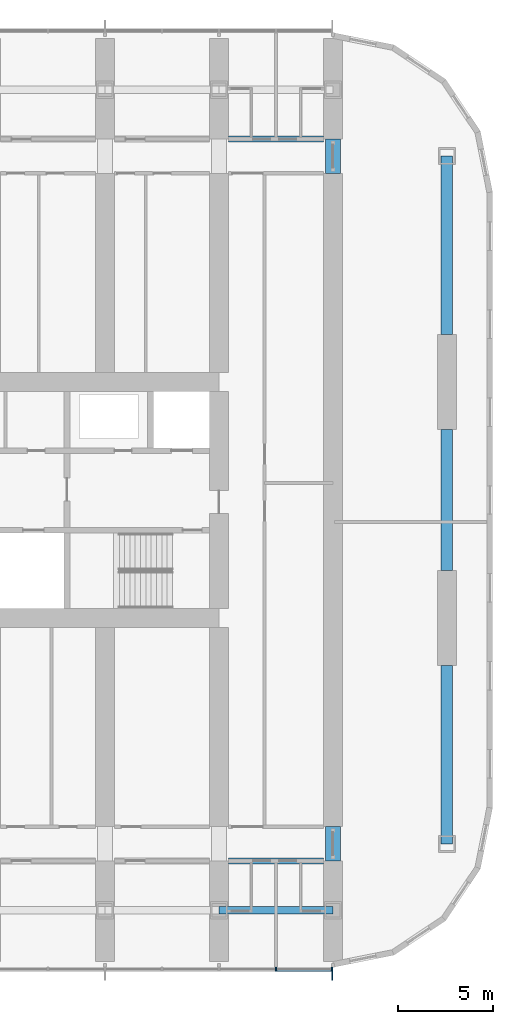
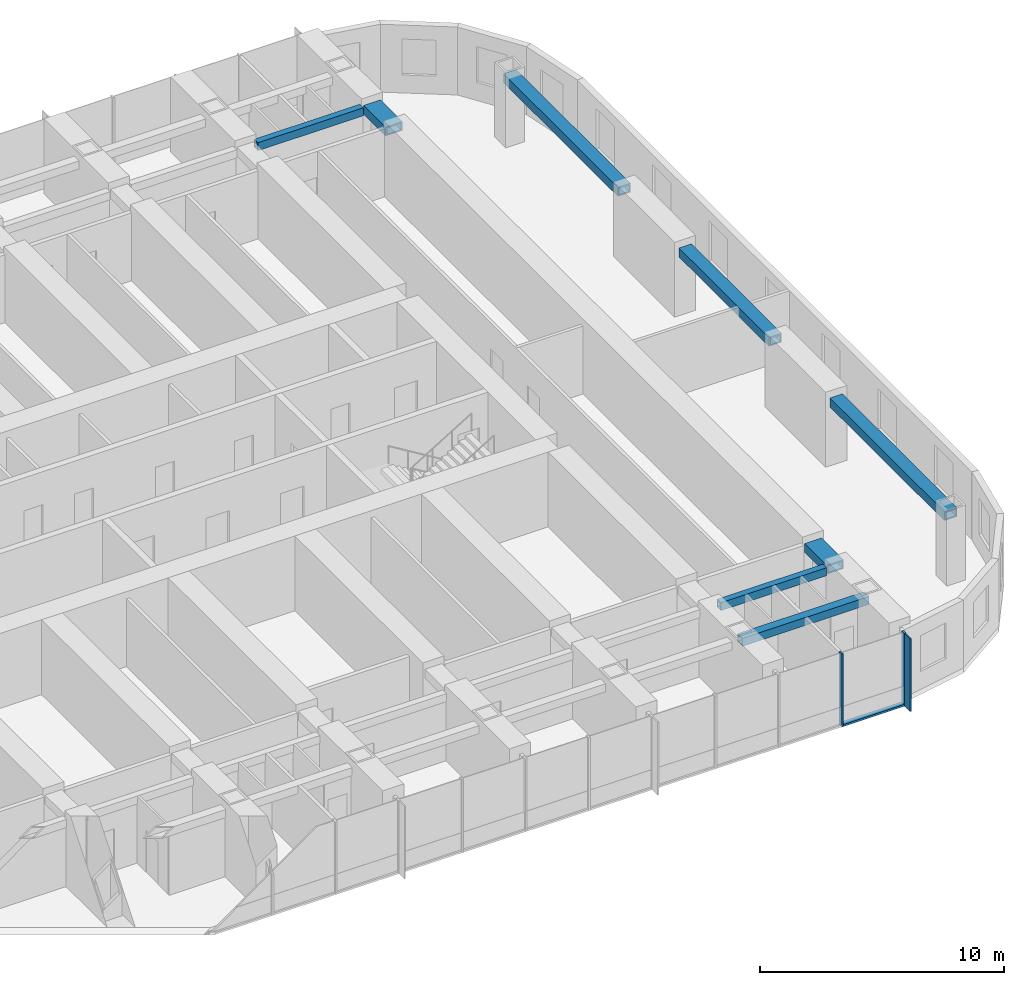
# One storey, part 6 of 23: 8 beams, 4 members, 1 element without a shape of its own.
"""IFC4 building model written with IfcOpenShell, lengths in metres."""

from ifc_helpers import new_model, si_unit, direction, frame, origin, origin_2d, place, context, subcontext, project, spatial, rectangle, hollow_rectangle, extrude, material, material_profile, profile_set, type_object, element, aggregate, save


model = new_model("IFC4")

# Units and contexts
model_context = context("Model", 3, precision=1e-05, world=origin(), true_north=direction((0.0, 1.0)))
body_context = subcontext(model_context, "Body", "Model", "MODEL_VIEW")
ifc_project = project(units=[si_unit("LENGTHUNIT", "METRE"), si_unit("AREAUNIT", "SQUARE_METRE"), si_unit("VOLUMEUNIT", "CUBIC_METRE"), si_unit("PLANEANGLEUNIT", "RADIAN"), si_unit("MASSUNIT", "GRAM", prefix="KILO")], contexts=[model_context])

# Site, building, storey
site_placement = place(None, origin())
site = spatial("IfcSite", under=ifc_project, at=site_placement, CompositionType="ELEMENT")
building_placement = place(site_placement, origin())
building = spatial("IfcBuilding", under=site, at=building_placement, Name="Orbita Commons", CompositionType="ELEMENT")
storey_placement = place(building_placement, frame((0.0, 0.0, 65.199951171875)))
storey = spatial("IfcBuildingStorey", under=building, at=storey_placement, Name="L16", CompositionType="ELEMENT", Elevation=65.199951171875)

# Curtain wall, members
ifc_material_1 = material(Name="Anodised aluminium frame, pale silver", Category="aluminium")
curtain_wall_type = type_object("IfcCurtainWallType", Name="Unitised curtain wall CW-T, vision and spandrel", PredefinedType="NOTDEFINED", material=ifc_material_1)
curtain_wall_placement = place(storey_placement, origin())
curtain_wall = element("IfcCurtainWall", 1, at=curtain_wall_placement, inside=storey, type_object=curtain_wall_type, Name="Curtain wall south L16", PredefinedType="NOTDEFINED")
ifc_material_2 = material(Name="Anodised aluminium, pale silver", Category="aluminium")
ifc_material_profile_1 = material_profile(ifc_material_2, rectangle(XDim=0.080078125, YDim=0.219970703125, at=origin_2d()), Name="AL 80x220")
ifc_profile_set_1 = profile_set([ifc_material_profile_1], Name="Anodised aluminium, pale silver")
member_type_1 = type_object("IfcMemberType", Name="Curtain wall mullion 80x220", PredefinedType="MULLION", material=ifc_profile_set_1)
member_1_placement = place(storey_placement, frame((69.0, 7.2900390625, -0.25), z_axis=(0.0, 0.0, 1.0), x_axis=(1.0, 0.0, 0.0)))
member_1 = element("IfcMember", 2, at=member_1_placement, type_object=member_type_1, Name="Mullion 20 CW-L16-S", PredefinedType="MULLION", context=body_context, shape_type="SweptSolid", body=[
    extrude(rectangle(XDim=0.080078125, YDim=0.219970703125, at=origin_2d()), origin(), (0.0, 0.0, 1.0), 3.650146484375),
])
member_2_placement = place(storey_placement, frame((71.9599609375, 7.2900390625, -0.25), z_axis=(0.0, 0.0, 1.0), x_axis=(1.0, 0.0, 0.0)))
member_2 = element("IfcMember", 3, at=member_2_placement, type_object=member_type_1, Name="Mullion 21 CW-L16-S", PredefinedType="MULLION", context=body_context, shape_type="SweptSolid", body=[
    extrude(rectangle(XDim=0.080078125, YDim=0.219970703125, at=origin_2d()), origin(), (0.0, 0.0, 1.0), 3.650146484375),
])
ifc_material_3 = material(Name="Anodised aluminium, pale silver", Category="aluminium")
ifc_material_profile_2 = material_profile(ifc_material_3, rectangle(XDim=0.219970703125, YDim=0.10009765625, at=origin_2d()), Name="AL 220x100")
ifc_profile_set_2 = profile_set([ifc_material_profile_2], Name="Anodised aluminium, pale silver")
member_type_2 = type_object("IfcMemberType", Name="Curtain wall stack transom 220x100", PredefinedType="USERDEFINED", material=ifc_profile_set_2)
member_3_placement = place(storey_placement, frame((69.0400390625, 7.2900390625, -0.199951171875), z_axis=(1.0, 0.0, 0.0), x_axis=(0.0, 1.0, 0.0)))
member_3 = element("IfcMember", 4, at=member_3_placement, type_object=member_type_2, Name="Transom 20.1 CW-L16-S", ObjectType="TRANSOM", PredefinedType="USERDEFINED", context=body_context, shape_type="SweptSolid", body=[
    extrude(rectangle(XDim=0.219970703125, YDim=0.10009765625, at=origin_2d()), origin(), (0.0, 0.0, 1.0), 2.8798828125),
])

# Beams
ifc_material_4 = material(Name="Steel ASTM A572 Gr 50 welded plate", Category="steel")
ifc_material_profile_3 = material_profile(ifc_material_4, hollow_rectangle(XDim=0.300048828125, YDim=0.39990234375, WallThickness=0.0400390625, at=origin_2d()), Name="BOX 400x300x40")
ifc_profile_set_3 = profile_set([ifc_material_profile_3], Name="Steel ASTM A572 Gr 50 welded plate")
beam_type_1 = type_object("IfcBeamType", Name="Steel corridor link BOX 400x300x40", PredefinedType="BEAM", material=ifc_profile_set_3)
for number, where, z_axis, x_axis, name in (
    (5, (66.5, 13.0, 3.199951171875), (1.0, 0.0, 0.0), (0.0, 1.0, 0.0), "Corridor beam SA 12-13 L16"),
    (6, (66.5, 51.0, 3.199951171875), (1.0, 0.0, 0.0), (0.0, 1.0, 0.0), "Corridor beam NB 12-13 L16"),
):
    element("IfcBeam", number, at=place(storey_placement, frame(where, z_axis=z_axis, x_axis=x_axis)), inside=storey, type_object=beam_type_1, Name=name, PredefinedType="BEAM", context=body_context, shape_type="SweptSolid", body=[
        extrude(hollow_rectangle(XDim=0.300048828125, YDim=0.39990234375, WallThickness=0.0400390625, at=origin_2d()), origin(), (0.0, 0.0, 1.0), 5.0),
    ])
ifc_material_5 = material(Name="Steel ASTM A572 Gr 50 welded plate", Category="steel")
ifc_material_profile_4 = material_profile(ifc_material_5, hollow_rectangle(XDim=0.800048828125, YDim=0.449951171875, WallThickness=0.06005859375, at=origin_2d()), Name="BOX 450x800x60")
ifc_profile_set_4 = profile_set([ifc_material_profile_4], Name="Steel ASTM A572 Gr 50 welded plate")
beam_type_2 = type_object("IfcBeamType", Name="Steel coupling link BOX 450x800x60", PredefinedType="LINTEL", material=ifc_profile_set_4)
for number, where, z_axis, x_axis, name in (
    (7, (72.0, 13.0, 3.175048828125), (0.0, 1.0, 0.0), (-1.0, 0.0, 0.0), "Coupling beam 13 south L16"),
    (8, (72.0, 49.199951171875, 3.175048828125), (0.0, 1.0, 0.0), (-1.0, 0.0, 0.0), "Coupling beam 13 north L16"),
):
    element("IfcBeam", number, at=place(storey_placement, frame(where, z_axis=z_axis, x_axis=x_axis)), inside=storey, type_object=beam_type_2, Name=name, PredefinedType="LINTEL", context=body_context, shape_type="SweptSolid", body=[
        extrude(hollow_rectangle(XDim=0.800048828125, YDim=0.449951171875, WallThickness=0.06005859375, at=origin_2d()), origin(), (0.0, 0.0, 1.0), 1.800048828125),
    ])
ifc_material_6 = material(Name="Steel ASTM A572 Gr 50 welded plate", Category="steel")
ifc_material_profile_5 = material_profile(ifc_material_6, hollow_rectangle(XDim=0.60009765625, YDim=0.449951171875, WallThickness=0.06005859375, at=origin_2d()), Name="BOX 450x600x60")
ifc_profile_set_5 = profile_set([ifc_material_profile_5], Name="Steel ASTM A572 Gr 50 welded plate")
beam_type_3 = type_object("IfcBeamType", Name="Steel end frame link BOX 450x600x60", PredefinedType="BEAM", material=ifc_profile_set_5)
beam_1_placement = place(storey_placement, frame((78.0, 13.89990234375, 3.175048828125), z_axis=(0.0, 1.0, 0.0), x_axis=(-1.0, 0.0, 0.0)))
element("IfcBeam", 9, at=beam_1_placement, inside=storey, type_object=beam_type_3, Name="End frame beam 14 B-C L16", PredefinedType="BEAM", context=body_context, shape_type="SweptSolid", body=[
    extrude(hollow_rectangle(XDim=0.60009765625, YDim=0.449951171875, WallThickness=0.06005859375, at=origin_2d()), origin(), (0.0, 0.0, 1.0), 9.400146484375),
])
beam_2_placement = place(storey_placement, frame((78.0, 28.300048828125, 3.175048828125), z_axis=(0.0, 1.0, 0.0), x_axis=(-1.0, 0.0, 0.0)))
element("IfcBeam", 10, at=beam_2_placement, inside=storey, type_object=beam_type_3, Name="End frame beam 14 C-D L16", PredefinedType="BEAM", context=body_context, shape_type="SweptSolid", body=[
    extrude(hollow_rectangle(XDim=0.60009765625, YDim=0.449951171875, WallThickness=0.06005859375, at=origin_2d()), origin(), (0.0, 0.0, 1.0), 7.39990234375),
])
beam_3_placement = place(storey_placement, frame((78.0, 40.699951171875, 3.175048828125), z_axis=(0.0, 1.0, 0.0), x_axis=(-1.0, 0.0, 0.0)))
element("IfcBeam", 11, at=beam_3_placement, inside=storey, type_object=beam_type_3, Name="End frame beam 14 D-E L16", PredefinedType="BEAM", context=body_context, shape_type="SweptSolid", body=[
    extrude(hollow_rectangle(XDim=0.60009765625, YDim=0.449951171875, WallThickness=0.06005859375, at=origin_2d()), origin(), (0.0, 0.0, 1.0), 9.400146484375),
])
ifc_material_7 = material(Name="Steel ASTM A572 Gr 50 welded plate", Category="steel")
ifc_material_profile_6 = material_profile(ifc_material_7, hollow_rectangle(XDim=0.39990234375, YDim=0.39990234375, WallThickness=0.0400390625, at=origin_2d()), Name="BOX 400x400x40")
ifc_profile_set_6 = profile_set([ifc_material_profile_6], Name="Steel ASTM A572 Gr 50 welded plate")
beam_type_4 = type_object("IfcBeamType", Name="Steel spandrel BOX 400x400x40", PredefinedType="SPANDREL", material=ifc_profile_set_6)
beam_4_placement = place(storey_placement, frame((66.0, 10.39990234375, 3.199951171875), z_axis=(1.0, 0.0, 0.0), x_axis=(0.0, 1.0, 0.0)))
element("IfcBeam", 12, at=beam_4_placement, inside=storey, type_object=beam_type_4, Name="Spandrel beam B 12-13 L16", PredefinedType="SPANDREL", context=body_context, shape_type="SweptSolid", body=[
    extrude(hollow_rectangle(XDim=0.39990234375, YDim=0.39990234375, WallThickness=0.0400390625, at=origin_2d()), origin(), (0.0, 0.0, 1.0), 6.0),
])

# Member
ifc_material_8 = material(Name="Anodised aluminium, pale silver", Category="aluminium")
ifc_material_profile_7 = material_profile(ifc_material_8, rectangle(XDim=0.06005859375, YDim=0.449951171875, at=origin_2d()), Name="FIN 60x450")
ifc_profile_set_7 = profile_set([ifc_material_profile_7], Name="Anodised aluminium, pale silver")
member_type_3 = type_object("IfcMemberType", Name="Vertical fin 60x450 pale aluminium", PredefinedType="USERDEFINED", material=ifc_profile_set_7)
member_4_placement = place(storey_placement, frame((71.9599609375, 6.955078125, -0.25), z_axis=(0.0, 0.0, 1.0), x_axis=(1.0, 0.0, 0.0)))
member_4 = element("IfcMember", 13, at=member_4_placement, type_object=member_type_3, Name="Fin 21 CW-L16-S", ObjectType="FIN", PredefinedType="USERDEFINED", context=body_context, shape_type="SweptSolid", body=[
    extrude(rectangle(XDim=0.06005859375, YDim=0.449951171875, at=origin_2d()), origin(), (0.0, 0.0, 1.0), 3.650146484375),
])

aggregate(curtain_wall, [member_1, member_2, member_4, member_3])

save(model, "model.ifc")
